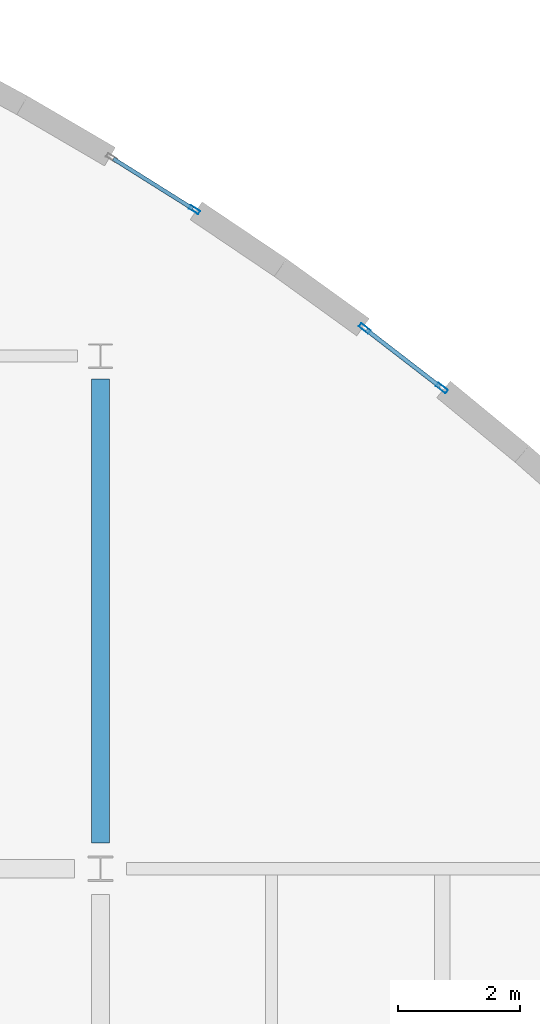
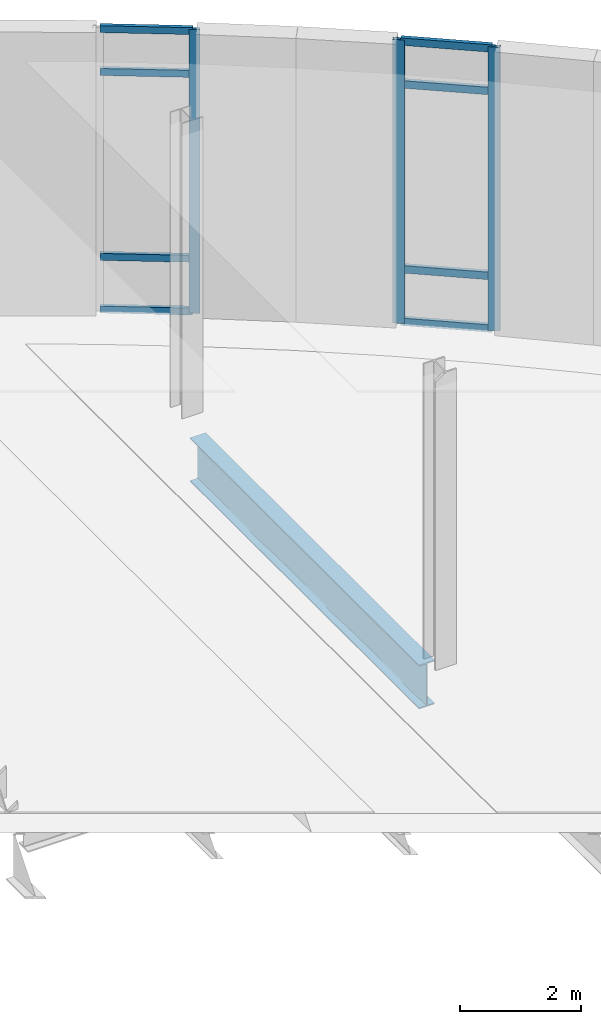
# One storey, part 37 of 85: 11 members, 1 beam, 2 elements without a shape of their own.
"""IFC4 building model written with IfcOpenShell, lengths in metres."""

from ifc_helpers import new_model, si_unit, direction, frame, origin, origin_2d, place, context, subcontext, project, spatial, hollow_rectangle, i_section, extrude, material, layer, layer_set, material_profile, profile_set, type_object, element, aggregate, save


model = new_model("IFC4")

# Units and contexts
model_context = context("Model", 3, precision=1e-05, world=origin(), true_north=direction((0.0, 1.0)))
body_context = subcontext(model_context, "Body", "Model", "MODEL_VIEW")
ifc_project = project(units=[si_unit("LENGTHUNIT", "METRE"), si_unit("AREAUNIT", "SQUARE_METRE"), si_unit("VOLUMEUNIT", "CUBIC_METRE"), si_unit("PLANEANGLEUNIT", "RADIAN"), si_unit("MASSUNIT", "GRAM", prefix="KILO"), si_unit("THERMODYNAMICTEMPERATUREUNIT", "KELVIN")], contexts=[model_context])

# Site, building, storey
site_placement = place(None, origin())
site = spatial("IfcSite", under=ifc_project, at=site_placement, CompositionType="ELEMENT")
building_placement = place(site_placement, origin())
building = spatial("IfcBuilding", under=site, at=building_placement, Name="Lustrewick Department Store", CompositionType="ELEMENT")
storey_placement = place(building_placement, origin())
storey = spatial("IfcBuildingStorey", under=building, at=storey_placement, Name="L01", CompositionType="ELEMENT", Elevation=0.0)

# Curtain wall, members
ifc_material_1 = material(Name="Thermally broken aluminium 6063-T5", Category="aluminium")
ifc_layer_1 = layer(ifc_material_1, 0.199951171875, Name="Thermally broken aluminium 6063-T5")
ifc_layer_set_1 = layer_set([ifc_layer_1], Name="Thermally broken aluminium 6063-T5")
curtain_wall_type_1 = type_object("IfcCurtainWallType", Name="CW10", PredefinedType="NOTDEFINED", material=ifc_layer_set_1)
curtain_wall_1_placement = place(storey_placement, origin())
curtain_wall_1 = element("IfcCurtainWall", 1, at=curtain_wall_1_placement, inside=storey, type_object=curtain_wall_type_1, Name="L01 V4 Curtain Wall CW10", PredefinedType="NOTDEFINED")
ifc_material_profile_1 = material_profile(ifc_material_1, hollow_rectangle(XDim=0.070068359375, YDim=0.199951171875, WallThickness=0.00390625, at=origin_2d()), Name="ALU-M 70x200x4")
ifc_profile_set_1 = profile_set([ifc_material_profile_1], Name="Thermally broken aluminium 6063-T5")
member_type_1 = type_object("IfcMemberType", Name="CW10-M1", PredefinedType="MULLION", material=ifc_profile_set_1)
member_1_placement = place(storey_placement, frame((148.393798828125, 100.276611328125, 0.0), z_axis=(0.0, 0.0, 1.0), x_axis=(-0.610866848982, -0.791733347039, 0.0)))
member_1 = element("IfcMember", 2, at=member_1_placement, type_object=member_type_1, Name="CW10 mullion 1", PredefinedType="MULLION", context=body_context, shape_type="SweptSolid", body=[
    extrude(hollow_rectangle(XDim=0.070068359375, YDim=0.199951171875, WallThickness=0.00390625, at=origin_2d()), origin(), (0.0, 0.0, 1.0), 5.7451171875),
])
member_2_placement = place(storey_placement, frame((147.12939453125, 101.252197265625, 0.0), z_axis=(0.0, 0.0, 1.0), x_axis=(-0.610866848982, -0.791733347039, 0.0)))
member_2 = element("IfcMember", 3, at=member_2_placement, type_object=member_type_1, Name="CW10 mullion 2", PredefinedType="MULLION", context=body_context, shape_type="SweptSolid", body=[
    extrude(hollow_rectangle(XDim=0.070068359375, YDim=0.199951171875, WallThickness=0.00390625, at=origin_2d()), origin(), (0.0, 0.0, 1.0), 5.7451171875),
])
ifc_material_profile_2 = material_profile(ifc_material_1, hollow_rectangle(XDim=0.070068359375, YDim=0.14990234375, WallThickness=0.00390625, at=origin_2d()), Name="ALU-T 70x150x4")
ifc_profile_set_2 = profile_set([ifc_material_profile_2], Name="Thermally broken aluminium 6063-T5")
member_type_2 = type_object("IfcMemberType", Name="CW10-T1", PredefinedType="USERDEFINED", material=ifc_profile_set_2)
member_3_placement = place(storey_placement, frame((148.365966796875, 100.2978515625, 0.034912109375), z_axis=(-0.791654090757, 0.610969557823, 0.0), x_axis=(-0.610969557823, -0.791654090757, 0.0)))
member_3 = element("IfcMember", 4, at=member_3_placement, type_object=member_type_2, Name="CW10 transom 1.1", ObjectType="TRANSOM", PredefinedType="USERDEFINED", context=body_context, shape_type="SweptSolid", body=[
    extrude(hollow_rectangle(XDim=0.070068359375, YDim=0.14990234375, WallThickness=0.00390625, at=origin_2d()), origin(), (0.0, 0.0, 1.0), 1.52685546875),
])
member_4_placement = place(storey_placement, frame((148.365966796875, 100.2978515625, 1.10009765625), z_axis=(-0.791654090757, 0.610969557823, 0.0), x_axis=(-0.610969557823, -0.791654090757, 0.0)))
member_4 = element("IfcMember", 5, at=member_4_placement, type_object=member_type_2, Name="CW10 transom 1.2", ObjectType="TRANSOM", PredefinedType="USERDEFINED", context=body_context, shape_type="SweptSolid", body=[
    extrude(hollow_rectangle(XDim=0.070068359375, YDim=0.14990234375, WallThickness=0.00390625, at=origin_2d()), origin(), (0.0, 0.0, 1.0), 1.52685546875),
])
member_5_placement = place(storey_placement, frame((148.365966796875, 100.2978515625, 4.844970703125), z_axis=(-0.791654090757, 0.610969557823, 0.0), x_axis=(-0.610969557823, -0.791654090757, 0.0)))
member_5 = element("IfcMember", 6, at=member_5_placement, type_object=member_type_2, Name="CW10 transom 1.3", ObjectType="TRANSOM", PredefinedType="USERDEFINED", context=body_context, shape_type="SweptSolid", body=[
    extrude(hollow_rectangle(XDim=0.070068359375, YDim=0.14990234375, WallThickness=0.00390625, at=origin_2d()), origin(), (0.0, 0.0, 1.0), 1.52685546875),
])
member_6_placement = place(storey_placement, frame((148.365966796875, 100.2978515625, 5.7099609375), z_axis=(-0.791654090757, 0.610969557823, 0.0), x_axis=(-0.610969557823, -0.791654090757, 0.0)))
member_6 = element("IfcMember", 7, at=member_6_placement, type_object=member_type_2, Name="CW10 transom 1.4", ObjectType="TRANSOM", PredefinedType="USERDEFINED", context=body_context, shape_type="SweptSolid", body=[
    extrude(hollow_rectangle(XDim=0.070068359375, YDim=0.14990234375, WallThickness=0.00390625, at=origin_2d()), origin(), (0.0, 0.0, 1.0), 1.52685546875),
])
aggregate(curtain_wall_1, [member_1, member_2, member_3, member_4, member_5, member_6])

ifc_layer_2 = layer(ifc_material_1, 0.179931640625, Name="Thermally broken aluminium 6063-T5")
ifc_layer_set_2 = layer_set([ifc_layer_2], Name="Thermally broken aluminium 6063-T5")
curtain_wall_type_2 = type_object("IfcCurtainWallType", Name="CW11", PredefinedType="NOTDEFINED", material=ifc_layer_set_2)
curtain_wall_2_placement = place(storey_placement, origin())
curtain_wall_2 = element("IfcCurtainWall", 8, at=curtain_wall_2_placement, inside=storey, type_object=curtain_wall_type_2, Name="L01 V4 Curtain Wall CW11", PredefinedType="NOTDEFINED")
ifc_material_profile_3 = material_profile(ifc_material_1, hollow_rectangle(XDim=0.06494140625, YDim=0.179931640625, WallThickness=0.00390625, at=origin_2d()), Name="ALU-M 65x180x4")
ifc_profile_set_3 = profile_set([ifc_material_profile_3], Name="Thermally broken aluminium 6063-T5")
member_type_3 = type_object("IfcMemberType", Name="CW11-M1", PredefinedType="MULLION", material=ifc_profile_set_3)
member_7_placement = place(storey_placement, frame((144.34033203125, 103.197998046875, 0.0), z_axis=(0.0, 0.0, 1.0), x_axis=(-0.532014270503, -0.846735387226, 0.0)))
member_7 = element("IfcMember", 9, at=member_7_placement, type_object=member_type_3, Name="CW11 mullion 1", PredefinedType="MULLION", context=body_context, shape_type="SweptSolid", body=[
    extrude(hollow_rectangle(XDim=0.06494140625, YDim=0.179931640625, WallThickness=0.00390625, at=origin_2d()), origin(), (0.0, 0.0, 1.0), 5.7451171875),
])
ifc_material_profile_4 = material_profile(ifc_material_1, hollow_rectangle(XDim=0.06494140625, YDim=0.139892578125, WallThickness=0.00341796875, at=origin_2d()), Name="ALU-T 65x140x3.5")
ifc_profile_set_4 = profile_set([ifc_material_profile_4], Name="Thermally broken aluminium 6063-T5")
member_type_4 = type_object("IfcMemberType", Name="CW11-T1", PredefinedType="USERDEFINED", material=ifc_profile_set_4)
member_8_placement = place(storey_placement, frame((144.312744140625, 103.215087890625, 0.032470703125), z_axis=(-0.846728562465, 0.532025132401, 0.0), x_axis=(-0.532025132401, -0.846728562465, 0.0)))
member_8 = element("IfcMember", 10, at=member_8_placement, type_object=member_type_4, Name="CW11 transom 1.1", ObjectType="TRANSOM", PredefinedType="USERDEFINED", context=body_context, shape_type="SweptSolid", body=[
    extrude(hollow_rectangle(XDim=0.06494140625, YDim=0.139892578125, WallThickness=0.00341796875, at=origin_2d()), origin(), (0.0, 0.0, 1.0), 1.536865234375),
])
member_9_placement = place(storey_placement, frame((144.312744140625, 103.215087890625, 1.10009765625), z_axis=(-0.846728562465, 0.532025132401, 0.0), x_axis=(-0.532025132401, -0.846728562465, 0.0)))
member_9 = element("IfcMember", 11, at=member_9_placement, type_object=member_type_4, Name="CW11 transom 1.2", ObjectType="TRANSOM", PredefinedType="USERDEFINED", context=body_context, shape_type="SweptSolid", body=[
    extrude(hollow_rectangle(XDim=0.06494140625, YDim=0.139892578125, WallThickness=0.00341796875, at=origin_2d()), origin(), (0.0, 0.0, 1.0), 1.536865234375),
])
member_10_placement = place(storey_placement, frame((144.312744140625, 103.215087890625, 4.844970703125), z_axis=(-0.846728562465, 0.532025132401, 0.0), x_axis=(-0.532025132401, -0.846728562465, 0.0)))
member_10 = element("IfcMember", 12, at=member_10_placement, type_object=member_type_4, Name="CW11 transom 1.3", ObjectType="TRANSOM", PredefinedType="USERDEFINED", context=body_context, shape_type="SweptSolid", body=[
    extrude(hollow_rectangle(XDim=0.06494140625, YDim=0.139892578125, WallThickness=0.00341796875, at=origin_2d()), origin(), (0.0, 0.0, 1.0), 1.536865234375),
])
member_11_placement = place(storey_placement, frame((144.312744140625, 103.215087890625, 5.71240234375), z_axis=(-0.846728562465, 0.532025132401, 0.0), x_axis=(-0.532025132401, -0.846728562465, 0.0)))
member_11 = element("IfcMember", 13, at=member_11_placement, type_object=member_type_4, Name="CW11 transom 1.4", ObjectType="TRANSOM", PredefinedType="USERDEFINED", context=body_context, shape_type="SweptSolid", body=[
    extrude(hollow_rectangle(XDim=0.06494140625, YDim=0.139892578125, WallThickness=0.00341796875, at=origin_2d()), origin(), (0.0, 0.0, 1.0), 1.536865234375),
])
aggregate(curtain_wall_2, [member_7, member_8, member_9, member_10, member_11])

# Beam
ifc_material_2 = material(Name="Structural steel Q355C", Category="steel")
ifc_material_profile_5 = material_profile(ifc_material_2, i_section(OverallWidth=0.299072265625, OverallDepth=0.889892578125, WebThickness=0.014892578125, FlangeThickness=0.02294921875, FilletRadius=0.02392578125, at=origin_2d()), Name="HN 890x299x15x23")
ifc_profile_set_5 = profile_set([ifc_material_profile_5], Name="Structural steel Q355C")
beam_type = type_object("IfcBeamType", Name="G03", PredefinedType="BEAM", material=ifc_profile_set_5)
beam_placement = place(storey_placement, frame((142.800048828125, 92.824951171875, -0.715087890625), z_axis=(0.0, 1.0, 0.0), x_axis=(-1.0, 0.0, 0.0)))
element("IfcBeam", 14, at=beam_placement, inside=storey, type_object=beam_type, Name="L01 V4 Girder G03", PredefinedType="BEAM", context=body_context, shape_type="SweptSolid", body=[
    extrude(i_section(OverallWidth=0.299072265625, OverallDepth=0.889892578125, WebThickness=0.014892578125, FlangeThickness=0.02294921875, FilletRadius=0.02392578125, at=origin_2d()), origin(), (0.0, 0.0, 1.0), 7.60009765625),
])

save(model, "model.ifc")
